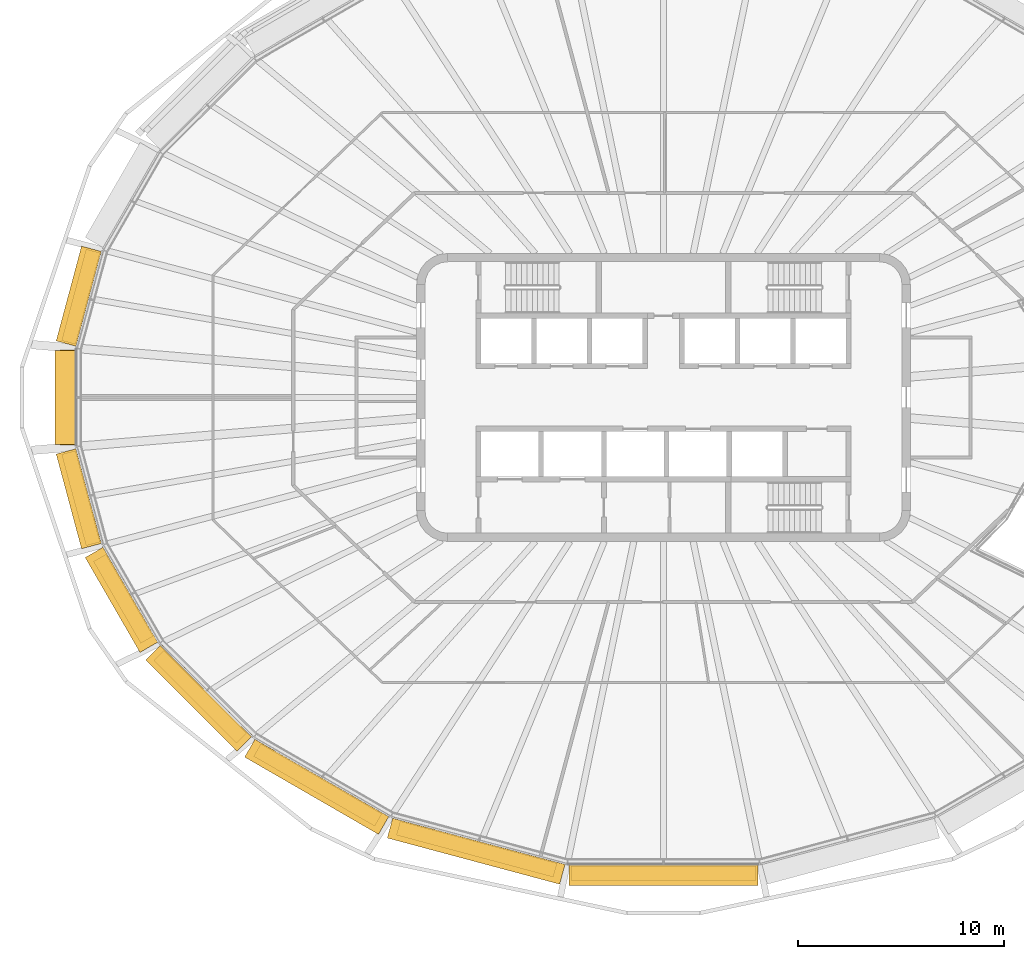
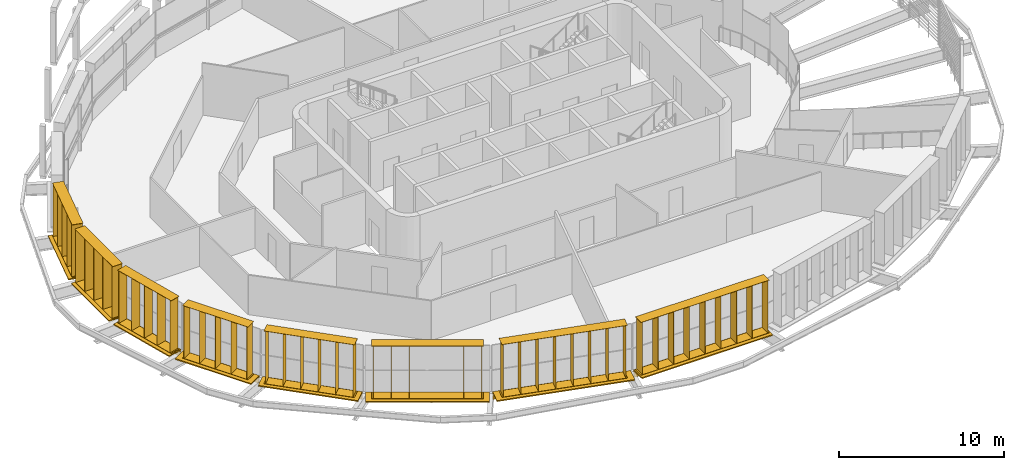
# One storey, part 14 of 19: 16 shading devices.
"""IFC4 building model written with IfcOpenShell, lengths in metres."""

from ifc_helpers import new_model, si_unit, direction, frame, origin, origin_2d, place, context, subcontext, project, spatial, rectangle, extrude, material, type_object, element, save


model = new_model("IFC4")

# Units and contexts
model_context = context("Model", 3, precision=1e-05, world=origin(), true_north=direction((0.0, 1.0)))
body_context = subcontext(model_context, "Body", "Model", "MODEL_VIEW")
ifc_project = project(units=[si_unit("LENGTHUNIT", "METRE"), si_unit("AREAUNIT", "SQUARE_METRE"), si_unit("VOLUMEUNIT", "CUBIC_METRE"), si_unit("PLANEANGLEUNIT", "RADIAN"), si_unit("MASSUNIT", "GRAM", prefix="KILO")], contexts=[model_context])

# Site, building, storey
site_placement = place(None, origin())
site = spatial("IfcSite", under=ifc_project, at=site_placement, CompositionType="ELEMENT")
building_placement = place(site_placement, origin())
building = spatial("IfcBuilding", under=site, at=building_placement, Name="Sahrelin Media Tower", CompositionType="ELEMENT")
storey_placement = place(building_placement, frame((0.0, 0.0, 287.0)))
storey = spatial("IfcBuildingStorey", under=building, at=storey_placement, Name="L63", CompositionType="ELEMENT", Elevation=287.0)

# Shading devices
ifc_material = material(Name="Champagne anodised aluminium 6063-T6", Category="aluminium")
shading_device_type_1 = type_object("IfcShadingDeviceType", Name="Fin cassette", PredefinedType="USERDEFINED", material=ifc_material)
placement_1 = place(storey_placement, frame((-27.9248046875, 4.789306640625, 0.0), z_axis=(0.0, 0.0, 1.0), x_axis=(0.258807731996, 0.965928857556, 0.0)))
element("IfcShadingDevice", 1, at=placement_1, inside=storey, type_object=shading_device_type_1, Name="L63:FIN:L63-11", ObjectType="FIN", PredefinedType="USERDEFINED", context=body_context, shape_type="SweptSolid", body=[
    extrude(rectangle(XDim=4.60009765625, YDim=0.699951171875, at=origin_2d()), frame((0.0, 0.419921875, 0.0)), (0.0, 0.0, 1.0), 0.02001953125),
    extrude(rectangle(XDim=4.60009765625, YDim=0.699951171875, at=origin_2d()), frame((0.0, 0.419921875, 3.89990234375)), (0.0, 0.0, 1.0), 0.02001953125),
    extrude(rectangle(XDim=0.02001953125, YDim=0.699951171875, at=origin_2d()), frame((-2.199951171875, 0.419921875, 0.010009765625), z_axis=(0.0, 0.0, 1.0), x_axis=(1.0, 0.0, 0.0)), (0.0, 0.0, 1.0), 3.89990234375),
    extrude(rectangle(XDim=0.02001953125, YDim=0.699951171875, at=origin_2d()), frame((-1.10009765625, 0.419921875, 0.010009765625), z_axis=(0.0, 0.0, 1.0), x_axis=(1.0, 0.0, 0.0)), (0.0, 0.0, 1.0), 3.89990234375),
    extrude(rectangle(XDim=0.02001953125, YDim=0.699951171875, at=origin_2d()), frame((0.0, 0.419921875, 0.010009765625), z_axis=(0.0, 0.0, 1.0), x_axis=(1.0, 0.0, 0.0)), (0.0, 0.0, 1.0), 3.89990234375),
    extrude(rectangle(XDim=0.02001953125, YDim=0.699951171875, at=origin_2d()), frame((1.10009765625, 0.419921875, 0.010009765625), z_axis=(0.0, 0.0, 1.0), x_axis=(1.0, 0.0, 0.0)), (0.0, 0.0, 1.0), 3.89990234375),
    extrude(rectangle(XDim=0.02001953125, YDim=0.699951171875, at=origin_2d()), frame((2.199951171875, 0.419921875, 0.010009765625), z_axis=(0.0, 0.0, 1.0), x_axis=(1.0, 0.0, 0.0)), (0.0, 0.0, 1.0), 3.89990234375),
])
placement_2 = place(storey_placement, frame((-28.5673828125, 0.0, 0.0), z_axis=(0.0, 0.0, 1.0), x_axis=(0.0, 1.0, 0.0)))
element("IfcShadingDevice", 2, at=placement_2, inside=storey, type_object=shading_device_type_1, Name="L63:FIN:L63-12", ObjectType="FIN", PredefinedType="USERDEFINED", context=body_context, shape_type="SweptSolid", body=[
    extrude(rectangle(XDim=4.60009765625, YDim=0.699951171875, at=origin_2d()), frame((0.0, 0.419921875, 0.0)), (0.0, 0.0, 1.0), 0.02001953125),
    extrude(rectangle(XDim=4.60009765625, YDim=0.699951171875, at=origin_2d()), frame((0.0, 0.419921875, 3.89990234375)), (0.0, 0.0, 1.0), 0.02001953125),
    extrude(rectangle(XDim=0.02001953125, YDim=0.699951171875, at=origin_2d()), frame((-2.199951171875, 0.419921875, 0.010009765625), z_axis=(0.0, 0.0, 1.0), x_axis=(1.0, 0.0, 0.0)), (0.0, 0.0, 1.0), 3.89990234375),
    extrude(rectangle(XDim=0.02001953125, YDim=0.699951171875, at=origin_2d()), frame((-1.10009765625, 0.419921875, 0.010009765625), z_axis=(0.0, 0.0, 1.0), x_axis=(1.0, 0.0, 0.0)), (0.0, 0.0, 1.0), 3.89990234375),
    extrude(rectangle(XDim=0.02001953125, YDim=0.699951171875, at=origin_2d()), frame((0.0, 0.419921875, 0.010009765625), z_axis=(0.0, 0.0, 1.0), x_axis=(1.0, 0.0, 0.0)), (0.0, 0.0, 1.0), 3.89990234375),
    extrude(rectangle(XDim=0.02001953125, YDim=0.699951171875, at=origin_2d()), frame((1.10009765625, 0.419921875, 0.010009765625), z_axis=(0.0, 0.0, 1.0), x_axis=(1.0, 0.0, 0.0)), (0.0, 0.0, 1.0), 3.89990234375),
    extrude(rectangle(XDim=0.02001953125, YDim=0.699951171875, at=origin_2d()), frame((2.199951171875, 0.419921875, 0.010009765625), z_axis=(0.0, 0.0, 1.0), x_axis=(1.0, 0.0, 0.0)), (0.0, 0.0, 1.0), 3.89990234375),
])
placement_3 = place(storey_placement, frame((-27.9248046875, -4.789306640625, 0.0), z_axis=(0.0, 0.0, 1.0), x_axis=(-0.258807731996, 0.965928857556, 0.0)))
element("IfcShadingDevice", 3, at=placement_3, inside=storey, type_object=shading_device_type_1, Name="L63:FIN:L63-13", ObjectType="FIN", PredefinedType="USERDEFINED", context=body_context, shape_type="SweptSolid", body=[
    extrude(rectangle(XDim=4.60009765625, YDim=0.699951171875, at=origin_2d()), frame((0.0, 0.419921875, 0.0)), (0.0, 0.0, 1.0), 0.02001953125),
    extrude(rectangle(XDim=4.60009765625, YDim=0.699951171875, at=origin_2d()), frame((0.0, 0.419921875, 3.89990234375)), (0.0, 0.0, 1.0), 0.02001953125),
    extrude(rectangle(XDim=0.02001953125, YDim=0.699951171875, at=origin_2d()), frame((-2.199951171875, 0.419921875, 0.010009765625), z_axis=(0.0, 0.0, 1.0), x_axis=(1.0, 0.0, 0.0)), (0.0, 0.0, 1.0), 3.89990234375),
    extrude(rectangle(XDim=0.02001953125, YDim=0.699951171875, at=origin_2d()), frame((-1.10009765625, 0.419921875, 0.010009765625), z_axis=(0.0, 0.0, 1.0), x_axis=(1.0, 0.0, 0.0)), (0.0, 0.0, 1.0), 3.89990234375),
    extrude(rectangle(XDim=0.02001953125, YDim=0.699951171875, at=origin_2d()), frame((0.0, 0.419921875, 0.010009765625), z_axis=(0.0, 0.0, 1.0), x_axis=(1.0, 0.0, 0.0)), (0.0, 0.0, 1.0), 3.89990234375),
    extrude(rectangle(XDim=0.02001953125, YDim=0.699951171875, at=origin_2d()), frame((1.10009765625, 0.419921875, 0.010009765625), z_axis=(0.0, 0.0, 1.0), x_axis=(1.0, 0.0, 0.0)), (0.0, 0.0, 1.0), 3.89990234375),
    extrude(rectangle(XDim=0.02001953125, YDim=0.699951171875, at=origin_2d()), frame((2.199951171875, 0.419921875, 0.010009765625), z_axis=(0.0, 0.0, 1.0), x_axis=(1.0, 0.0, 0.0)), (0.0, 0.0, 1.0), 3.89990234375),
])
placement_4 = place(storey_placement, frame((-25.900634765625, -9.580078125, 0.0), z_axis=(0.0, 0.0, 1.0), x_axis=(-0.500011000363, 0.866019052629, 0.0)))
element("IfcShadingDevice", 4, at=placement_4, inside=storey, type_object=shading_device_type_1, Name="L63:FIN:L63-14", ObjectType="FIN", PredefinedType="USERDEFINED", context=body_context, shape_type="SweptSolid", body=[
    extrude(rectangle(XDim=4.60009765625, YDim=0.699951171875, at=origin_2d()), frame((0.0, 0.419921875, 0.0)), (0.0, 0.0, 1.0), 0.02001953125),
    extrude(rectangle(XDim=4.60009765625, YDim=0.699951171875, at=origin_2d()), frame((0.0, 0.419921875, 3.89990234375)), (0.0, 0.0, 1.0), 0.02001953125),
    extrude(rectangle(XDim=0.02001953125, YDim=0.699951171875, at=origin_2d()), frame((-2.199951171875, 0.419921875, 0.010009765625), z_axis=(0.0, 0.0, 1.0), x_axis=(1.0, 0.0, 0.0)), (0.0, 0.0, 1.0), 3.89990234375),
    extrude(rectangle(XDim=0.02001953125, YDim=0.699951171875, at=origin_2d()), frame((-1.10009765625, 0.419921875, 0.010009765625), z_axis=(0.0, 0.0, 1.0), x_axis=(1.0, 0.0, 0.0)), (0.0, 0.0, 1.0), 3.89990234375),
    extrude(rectangle(XDim=0.02001953125, YDim=0.699951171875, at=origin_2d()), frame((0.0, 0.419921875, 0.010009765625), z_axis=(0.0, 0.0, 1.0), x_axis=(1.0, 0.0, 0.0)), (0.0, 0.0, 1.0), 3.89990234375),
    extrude(rectangle(XDim=0.02001953125, YDim=0.699951171875, at=origin_2d()), frame((1.10009765625, 0.419921875, 0.010009765625), z_axis=(0.0, 0.0, 1.0), x_axis=(1.0, 0.0, 0.0)), (0.0, 0.0, 1.0), 3.89990234375),
    extrude(rectangle(XDim=0.02001953125, YDim=0.699951171875, at=origin_2d()), frame((2.199951171875, 0.419921875, 0.010009765625), z_axis=(0.0, 0.0, 1.0), x_axis=(1.0, 0.0, 0.0)), (0.0, 0.0, 1.0), 3.89990234375),
])
placement_5 = place(storey_placement, frame((-22.2294921875, -14.2626953125, 0.0), z_axis=(0.0, 0.0, 1.0), x_axis=(-0.707106781187, 0.707106781187, 0.0)))
element("IfcShadingDevice", 5, at=placement_5, inside=storey, type_object=shading_device_type_1, Name="L63:FIN:L63-15", ObjectType="FIN", PredefinedType="USERDEFINED", context=body_context, shape_type="SweptSolid", body=[
    extrude(rectangle(XDim=5.699951171875, YDim=0.699951171875, at=origin_2d()), frame((0.0, 0.419921875, 0.0)), (0.0, 0.0, 1.0), 0.02001953125),
    extrude(rectangle(XDim=5.699951171875, YDim=0.699951171875, at=origin_2d()), frame((0.0, 0.419921875, 3.89990234375)), (0.0, 0.0, 1.0), 0.02001953125),
    extrude(rectangle(XDim=0.02001953125, YDim=0.699951171875, at=origin_2d()), frame((-2.75, 0.419921875, 0.010009765625), z_axis=(0.0, 0.0, 1.0), x_axis=(1.0, 0.0, 0.0)), (0.0, 0.0, 1.0), 3.89990234375),
    extrude(rectangle(XDim=0.02001953125, YDim=0.699951171875, at=origin_2d()), frame((-1.64990234375, 0.419921875, 0.010009765625), z_axis=(0.0, 0.0, 1.0), x_axis=(1.0, 0.0, 0.0)), (0.0, 0.0, 1.0), 3.89990234375),
    extrude(rectangle(XDim=0.02001953125, YDim=0.699951171875, at=origin_2d()), frame((-0.550048828125, 0.419921875, 0.010009765625), z_axis=(0.0, 0.0, 1.0), x_axis=(1.0, 0.0, 0.0)), (0.0, 0.0, 1.0), 3.89990234375),
    extrude(rectangle(XDim=0.02001953125, YDim=0.699951171875, at=origin_2d()), frame((0.550048828125, 0.419921875, 0.010009765625), z_axis=(0.0, 0.0, 1.0), x_axis=(1.0, 0.0, 0.0)), (0.0, 0.0, 1.0), 3.89990234375),
    extrude(rectangle(XDim=0.02001953125, YDim=0.699951171875, at=origin_2d()), frame((1.64990234375, 0.419921875, 0.010009765625), z_axis=(0.0, 0.0, 1.0), x_axis=(1.0, 0.0, 0.0)), (0.0, 0.0, 1.0), 3.89990234375),
    extrude(rectangle(XDim=0.02001953125, YDim=0.699951171875, at=origin_2d()), frame((2.75, 0.419921875, 0.010009765625), z_axis=(0.0, 0.0, 1.0), x_axis=(1.0, 0.0, 0.0)), (0.0, 0.0, 1.0), 3.89990234375),
])
placement_6 = place(storey_placement, frame((-16.599853515625, -18.48095703125, 0.0), z_axis=(0.0, 0.0, 1.0), x_axis=(-0.866019052629, 0.500011000363, 0.0)))
element("IfcShadingDevice", 6, at=placement_6, inside=storey, type_object=shading_device_type_1, Name="L63:FIN:L63-16", ObjectType="FIN", PredefinedType="USERDEFINED", context=body_context, shape_type="SweptSolid", body=[
    extrude(rectangle(XDim=6.800048828125, YDim=0.699951171875, at=origin_2d()), frame((0.0, 0.419921875, 0.0)), (0.0, 0.0, 1.0), 0.02001953125),
    extrude(rectangle(XDim=6.800048828125, YDim=0.699951171875, at=origin_2d()), frame((0.0, 0.419921875, 3.89990234375)), (0.0, 0.0, 1.0), 0.02001953125),
    extrude(rectangle(XDim=0.02001953125, YDim=0.699951171875, at=origin_2d()), frame((-3.300048828125, 0.419921875, 0.010009765625), z_axis=(0.0, 0.0, 1.0), x_axis=(1.0, 0.0, 0.0)), (0.0, 0.0, 1.0), 3.89990234375),
    extrude(rectangle(XDim=0.02001953125, YDim=0.699951171875, at=origin_2d()), frame((-2.199951171875, 0.419921875, 0.010009765625), z_axis=(0.0, 0.0, 1.0), x_axis=(1.0, 0.0, 0.0)), (0.0, 0.0, 1.0), 3.89990234375),
    extrude(rectangle(XDim=0.02001953125, YDim=0.699951171875, at=origin_2d()), frame((-1.10009765625, 0.419921875, 0.010009765625), z_axis=(0.0, 0.0, 1.0), x_axis=(1.0, 0.0, 0.0)), (0.0, 0.0, 1.0), 3.89990234375),
    extrude(rectangle(XDim=0.02001953125, YDim=0.699951171875, at=origin_2d()), frame((0.0, 0.419921875, 0.010009765625), z_axis=(0.0, 0.0, 1.0), x_axis=(1.0, 0.0, 0.0)), (0.0, 0.0, 1.0), 3.89990234375),
    extrude(rectangle(XDim=0.02001953125, YDim=0.699951171875, at=origin_2d()), frame((1.10009765625, 0.419921875, 0.010009765625), z_axis=(0.0, 0.0, 1.0), x_axis=(1.0, 0.0, 0.0)), (0.0, 0.0, 1.0), 3.89990234375),
    extrude(rectangle(XDim=0.02001953125, YDim=0.699951171875, at=origin_2d()), frame((2.199951171875, 0.419921875, 0.010009765625), z_axis=(0.0, 0.0, 1.0), x_axis=(1.0, 0.0, 0.0)), (0.0, 0.0, 1.0), 3.89990234375),
    extrude(rectangle(XDim=0.02001953125, YDim=0.699951171875, at=origin_2d()), frame((3.300048828125, 0.419921875, 0.010009765625), z_axis=(0.0, 0.0, 1.0), x_axis=(1.0, 0.0, 0.0)), (0.0, 0.0, 1.0), 3.89990234375),
])
placement_7 = place(storey_placement, frame((-8.972412109375, -21.55810546875, 0.0), z_axis=(0.0, 0.0, 1.0), x_axis=(-0.965928857556, 0.258807731996, 0.0)))
element("IfcShadingDevice", 7, at=placement_7, inside=storey, type_object=shading_device_type_1, Name="L63:FIN:L63-17", ObjectType="FIN", PredefinedType="USERDEFINED", context=body_context, shape_type="SweptSolid", body=[
    extrude(rectangle(XDim=7.89990234375, YDim=0.699951171875, at=origin_2d()), frame((0.0, 0.419921875, 0.0)), (0.0, 0.0, 1.0), 0.02001953125),
    extrude(rectangle(XDim=7.89990234375, YDim=0.699951171875, at=origin_2d()), frame((0.0, 0.419921875, 3.89990234375)), (0.0, 0.0, 1.0), 0.02001953125),
    extrude(rectangle(XDim=0.02001953125, YDim=0.699951171875, at=origin_2d()), frame((-3.85009765625, 0.419921875, 0.010009765625), z_axis=(0.0, 0.0, 1.0), x_axis=(1.0, 0.0, 0.0)), (0.0, 0.0, 1.0), 3.89990234375),
    extrude(rectangle(XDim=0.02001953125, YDim=0.699951171875, at=origin_2d()), frame((-2.75, 0.419921875, 0.010009765625), z_axis=(0.0, 0.0, 1.0), x_axis=(1.0, 0.0, 0.0)), (0.0, 0.0, 1.0), 3.89990234375),
    extrude(rectangle(XDim=0.02001953125, YDim=0.699951171875, at=origin_2d()), frame((-1.64990234375, 0.419921875, 0.010009765625), z_axis=(0.0, 0.0, 1.0), x_axis=(1.0, 0.0, 0.0)), (0.0, 0.0, 1.0), 3.89990234375),
    extrude(rectangle(XDim=0.02001953125, YDim=0.699951171875, at=origin_2d()), frame((-0.550048828125, 0.419921875, 0.010009765625), z_axis=(0.0, 0.0, 1.0), x_axis=(1.0, 0.0, 0.0)), (0.0, 0.0, 1.0), 3.89990234375),
    extrude(rectangle(XDim=0.02001953125, YDim=0.699951171875, at=origin_2d()), frame((0.550048828125, 0.419921875, 0.010009765625), z_axis=(0.0, 0.0, 1.0), x_axis=(1.0, 0.0, 0.0)), (0.0, 0.0, 1.0), 3.89990234375),
    extrude(rectangle(XDim=0.02001953125, YDim=0.699951171875, at=origin_2d()), frame((1.64990234375, 0.419921875, 0.010009765625), z_axis=(0.0, 0.0, 1.0), x_axis=(1.0, 0.0, 0.0)), (0.0, 0.0, 1.0), 3.89990234375),
    extrude(rectangle(XDim=0.02001953125, YDim=0.699951171875, at=origin_2d()), frame((2.75, 0.419921875, 0.010009765625), z_axis=(0.0, 0.0, 1.0), x_axis=(1.0, 0.0, 0.0)), (0.0, 0.0, 1.0), 3.89990234375),
    extrude(rectangle(XDim=0.02001953125, YDim=0.699951171875, at=origin_2d()), frame((3.85009765625, 0.419921875, 0.010009765625), z_axis=(0.0, 0.0, 1.0), x_axis=(1.0, 0.0, 0.0)), (0.0, 0.0, 1.0), 3.89990234375),
])
placement_8 = place(storey_placement, frame((0.0, -22.706787109375, 0.0), z_axis=(0.0, 0.0, 1.0), x_axis=(-1.0, 0.0, 0.0)))
element("IfcShadingDevice", 8, at=placement_8, inside=storey, type_object=shading_device_type_1, Name="L63:FIN:L63-18", ObjectType="FIN", PredefinedType="USERDEFINED", context=body_context, shape_type="SweptSolid", body=[
    extrude(rectangle(XDim=9.0, YDim=0.699951171875, at=origin_2d()), frame((0.0, 0.419921875, 0.0)), (0.0, 0.0, 1.0), 0.02001953125),
    extrude(rectangle(XDim=9.0, YDim=0.699951171875, at=origin_2d()), frame((0.0, 0.419921875, 3.89990234375)), (0.0, 0.0, 1.0), 0.02001953125),
    extrude(rectangle(XDim=0.02001953125, YDim=0.699951171875, at=origin_2d()), frame((-4.39990234375, 0.419921875, 0.010009765625), z_axis=(0.0, 0.0, 1.0), x_axis=(1.0, 0.0, 0.0)), (0.0, 0.0, 1.0), 3.89990234375),
    extrude(rectangle(XDim=0.02001953125, YDim=0.699951171875, at=origin_2d()), frame((-3.300048828125, 0.419921875, 0.010009765625), z_axis=(0.0, 0.0, 1.0), x_axis=(1.0, 0.0, 0.0)), (0.0, 0.0, 1.0), 3.89990234375),
    extrude(rectangle(XDim=0.02001953125, YDim=0.699951171875, at=origin_2d()), frame((-2.199951171875, 0.419921875, 0.010009765625), z_axis=(0.0, 0.0, 1.0), x_axis=(1.0, 0.0, 0.0)), (0.0, 0.0, 1.0), 3.89990234375),
    extrude(rectangle(XDim=0.02001953125, YDim=0.699951171875, at=origin_2d()), frame((-1.10009765625, 0.419921875, 0.010009765625), z_axis=(0.0, 0.0, 1.0), x_axis=(1.0, 0.0, 0.0)), (0.0, 0.0, 1.0), 3.89990234375),
    extrude(rectangle(XDim=0.02001953125, YDim=0.699951171875, at=origin_2d()), frame((0.0, 0.419921875, 0.010009765625), z_axis=(0.0, 0.0, 1.0), x_axis=(1.0, 0.0, 0.0)), (0.0, 0.0, 1.0), 3.89990234375),
    extrude(rectangle(XDim=0.02001953125, YDim=0.699951171875, at=origin_2d()), frame((1.10009765625, 0.419921875, 0.010009765625), z_axis=(0.0, 0.0, 1.0), x_axis=(1.0, 0.0, 0.0)), (0.0, 0.0, 1.0), 3.89990234375),
    extrude(rectangle(XDim=0.02001953125, YDim=0.699951171875, at=origin_2d()), frame((2.199951171875, 0.419921875, 0.010009765625), z_axis=(0.0, 0.0, 1.0), x_axis=(1.0, 0.0, 0.0)), (0.0, 0.0, 1.0), 3.89990234375),
    extrude(rectangle(XDim=0.02001953125, YDim=0.699951171875, at=origin_2d()), frame((3.300048828125, 0.419921875, 0.010009765625), z_axis=(0.0, 0.0, 1.0), x_axis=(1.0, 0.0, 0.0)), (0.0, 0.0, 1.0), 3.89990234375),
    extrude(rectangle(XDim=0.02001953125, YDim=0.699951171875, at=origin_2d()), frame((4.39990234375, 0.419921875, 0.010009765625), z_axis=(0.0, 0.0, 1.0), x_axis=(1.0, 0.0, 0.0)), (0.0, 0.0, 1.0), 3.89990234375),
])
shading_device_type_2 = type_object("IfcShadingDeviceType", Name="Sunshade band", PredefinedType="USERDEFINED", material=ifc_material)
element("IfcShadingDevice", 9, at=placement_1, inside=storey, type_object=shading_device_type_2, Name="L63:SUN:L63-11", ObjectType="SUNSHADE", PredefinedType="USERDEFINED", context=body_context, shape_type="SweptSolid", body=[
    extrude(rectangle(XDim=4.76513671875, YDim=0.050048828125, at=origin_2d()), frame((0.0, 0.044921875, -0.55126953125)), (0.0, 0.0, 1.0), 0.471435546875),
    extrude(rectangle(XDim=4.76513671875, YDim=1.0, at=origin_2d()), frame((0.0, 0.52001953125, -0.080078125)), (0.0, 0.0, 1.0), 0.080078125),
    extrude(rectangle(XDim=0.10009765625, YDim=0.074951171875, at=origin_2d()), frame((-2.28271484375, -0.017578125, -0.47021484375)), (0.0, 0.0, 1.0), 0.300048828125),
    extrude(rectangle(XDim=0.10009765625, YDim=0.074951171875, at=origin_2d()), frame((-0.760986328125, -0.017578125, -0.47021484375)), (0.0, 0.0, 1.0), 0.300048828125),
    extrude(rectangle(XDim=0.10009765625, YDim=0.074951171875, at=origin_2d()), frame((0.760986328125, -0.017578125, -0.47021484375)), (0.0, 0.0, 1.0), 0.300048828125),
    extrude(rectangle(XDim=0.10009765625, YDim=0.074951171875, at=origin_2d()), frame((2.28271484375, -0.017578125, -0.47021484375)), (0.0, 0.0, 1.0), 0.300048828125),
])
element("IfcShadingDevice", 10, at=placement_2, inside=storey, type_object=shading_device_type_2, Name="L63:SUN:L63-12", ObjectType="SUNSHADE", PredefinedType="USERDEFINED", context=body_context, shape_type="SweptSolid", body=[
    extrude(rectangle(XDim=4.58251953125, YDim=0.050048828125, at=origin_2d()), frame((0.0, 0.044921875, -0.55126953125)), (0.0, 0.0, 1.0), 0.471435546875),
    extrude(rectangle(XDim=4.58251953125, YDim=1.0, at=origin_2d()), frame((0.0, 0.52001953125, -0.080078125)), (0.0, 0.0, 1.0), 0.080078125),
    extrude(rectangle(XDim=0.10009765625, YDim=0.074951171875, at=origin_2d()), frame((-2.191162109375, -0.017578125, -0.47021484375)), (0.0, 0.0, 1.0), 0.300048828125),
    extrude(rectangle(XDim=0.10009765625, YDim=0.074951171875, at=origin_2d()), frame((-0.73046875, -0.017578125, -0.47021484375)), (0.0, 0.0, 1.0), 0.300048828125),
    extrude(rectangle(XDim=0.10009765625, YDim=0.074951171875, at=origin_2d()), frame((0.73046875, -0.017578125, -0.47021484375)), (0.0, 0.0, 1.0), 0.300048828125),
    extrude(rectangle(XDim=0.10009765625, YDim=0.074951171875, at=origin_2d()), frame((2.191162109375, -0.017578125, -0.47021484375)), (0.0, 0.0, 1.0), 0.300048828125),
])
element("IfcShadingDevice", 11, at=placement_3, inside=storey, type_object=shading_device_type_2, Name="L63:SUN:L63-13", ObjectType="SUNSHADE", PredefinedType="USERDEFINED", context=body_context, shape_type="SweptSolid", body=[
    extrude(rectangle(XDim=4.76513671875, YDim=0.050048828125, at=origin_2d()), frame((0.0, 0.044921875, -0.55126953125)), (0.0, 0.0, 1.0), 0.471435546875),
    extrude(rectangle(XDim=4.76513671875, YDim=1.0, at=origin_2d()), frame((0.0, 0.52001953125, -0.080078125)), (0.0, 0.0, 1.0), 0.080078125),
    extrude(rectangle(XDim=0.10009765625, YDim=0.074951171875, at=origin_2d()), frame((-2.28271484375, -0.017578125, -0.47021484375)), (0.0, 0.0, 1.0), 0.300048828125),
    extrude(rectangle(XDim=0.10009765625, YDim=0.074951171875, at=origin_2d()), frame((-0.760986328125, -0.017578125, -0.47021484375)), (0.0, 0.0, 1.0), 0.300048828125),
    extrude(rectangle(XDim=0.10009765625, YDim=0.074951171875, at=origin_2d()), frame((0.760986328125, -0.017578125, -0.47021484375)), (0.0, 0.0, 1.0), 0.300048828125),
    extrude(rectangle(XDim=0.10009765625, YDim=0.074951171875, at=origin_2d()), frame((2.28271484375, -0.017578125, -0.47021484375)), (0.0, 0.0, 1.0), 0.300048828125),
])
element("IfcShadingDevice", 12, at=placement_4, inside=storey, type_object=shading_device_type_2, Name="L63:SUN:L63-14", ObjectType="SUNSHADE", PredefinedType="USERDEFINED", context=body_context, shape_type="SweptSolid", body=[
    extrude(rectangle(XDim=5.326416015625, YDim=0.050048828125, at=origin_2d()), frame((0.0, 0.044921875, -0.55126953125)), (0.0, 0.0, 1.0), 0.471435546875),
    extrude(rectangle(XDim=5.326416015625, YDim=1.0, at=origin_2d()), frame((0.0, 0.52001953125, -0.080078125)), (0.0, 0.0, 1.0), 0.080078125),
    extrude(rectangle(XDim=0.10009765625, YDim=0.074951171875, at=origin_2d()), frame((-2.563232421875, -0.017578125, -0.47021484375)), (0.0, 0.0, 1.0), 0.300048828125),
    extrude(rectangle(XDim=0.10009765625, YDim=0.074951171875, at=origin_2d()), frame((-0.8544921875, -0.017578125, -0.47021484375)), (0.0, 0.0, 1.0), 0.300048828125),
    extrude(rectangle(XDim=0.10009765625, YDim=0.074951171875, at=origin_2d()), frame((0.8544921875, -0.017578125, -0.47021484375)), (0.0, 0.0, 1.0), 0.300048828125),
    extrude(rectangle(XDim=0.10009765625, YDim=0.074951171875, at=origin_2d()), frame((2.563232421875, -0.017578125, -0.47021484375)), (0.0, 0.0, 1.0), 0.300048828125),
])
element("IfcShadingDevice", 13, at=placement_5, inside=storey, type_object=shading_device_type_2, Name="L63:SUN:L63-15", ObjectType="SUNSHADE", PredefinedType="USERDEFINED", context=body_context, shape_type="SweptSolid", body=[
    extrude(rectangle(XDim=6.27587890625, YDim=0.050048828125, at=origin_2d()), frame((0.0, 0.044921875, -0.55126953125)), (0.0, 0.0, 1.0), 0.471435546875),
    extrude(rectangle(XDim=6.27587890625, YDim=1.0, at=origin_2d()), frame((0.0, 0.52001953125, -0.080078125)), (0.0, 0.0, 1.0), 0.080078125),
    extrude(rectangle(XDim=0.10009765625, YDim=0.074951171875, at=origin_2d()), frame((-3.037841796875, -0.017578125, -0.47021484375)), (0.0, 0.0, 1.0), 0.300048828125),
    extrude(rectangle(XDim=0.10009765625, YDim=0.074951171875, at=origin_2d()), frame((-1.518798828125, -0.017578125, -0.47021484375)), (0.0, 0.0, 1.0), 0.300048828125),
    extrude(rectangle(XDim=0.10009765625, YDim=0.074951171875, at=origin_2d()), frame((0.0, -0.017578125, -0.47021484375)), (0.0, 0.0, 1.0), 0.300048828125),
    extrude(rectangle(XDim=0.10009765625, YDim=0.074951171875, at=origin_2d()), frame((1.518798828125, -0.017578125, -0.47021484375)), (0.0, 0.0, 1.0), 0.300048828125),
    extrude(rectangle(XDim=0.10009765625, YDim=0.074951171875, at=origin_2d()), frame((3.037841796875, -0.017578125, -0.47021484375)), (0.0, 0.0, 1.0), 0.300048828125),
])
element("IfcShadingDevice", 14, at=placement_6, inside=storey, type_object=shading_device_type_2, Name="L63:SUN:L63-16", ObjectType="SUNSHADE", PredefinedType="USERDEFINED", context=body_context, shape_type="SweptSolid", body=[
    extrude(rectangle(XDim=7.51416015625, YDim=0.050048828125, at=origin_2d()), frame((0.0, 0.044921875, -0.55126953125)), (0.0, 0.0, 1.0), 0.471435546875),
    extrude(rectangle(XDim=7.51416015625, YDim=1.0, at=origin_2d()), frame((0.0, 0.52001953125, -0.080078125)), (0.0, 0.0, 1.0), 0.080078125),
    extrude(rectangle(XDim=0.10009765625, YDim=0.074951171875, at=origin_2d()), frame((-3.656982421875, -0.017578125, -0.47021484375)), (0.0, 0.0, 1.0), 0.300048828125),
    extrude(rectangle(XDim=0.10009765625, YDim=0.074951171875, at=origin_2d()), frame((-1.82861328125, -0.017578125, -0.47021484375)), (0.0, 0.0, 1.0), 0.300048828125),
    extrude(rectangle(XDim=0.10009765625, YDim=0.074951171875, at=origin_2d()), frame((0.0, -0.017578125, -0.47021484375)), (0.0, 0.0, 1.0), 0.300048828125),
    extrude(rectangle(XDim=0.10009765625, YDim=0.074951171875, at=origin_2d()), frame((1.82861328125, -0.017578125, -0.47021484375)), (0.0, 0.0, 1.0), 0.300048828125),
    extrude(rectangle(XDim=0.10009765625, YDim=0.074951171875, at=origin_2d()), frame((3.656982421875, -0.017578125, -0.47021484375)), (0.0, 0.0, 1.0), 0.300048828125),
])
element("IfcShadingDevice", 15, at=placement_7, inside=storey, type_object=shading_device_type_2, Name="L63:SUN:L63-17", ObjectType="SUNSHADE", PredefinedType="USERDEFINED", context=body_context, shape_type="SweptSolid", body=[
    extrude(rectangle(XDim=8.67626953125, YDim=0.050048828125, at=origin_2d()), frame((0.0, 0.044921875, -0.55126953125)), (0.0, 0.0, 1.0), 0.471435546875),
    extrude(rectangle(XDim=8.67626953125, YDim=1.0, at=origin_2d()), frame((0.0, 0.52001953125, -0.080078125)), (0.0, 0.0, 1.0), 0.080078125),
    extrude(rectangle(XDim=0.10009765625, YDim=0.074951171875, at=origin_2d()), frame((-4.238037109375, -0.017578125, -0.47021484375)), (0.0, 0.0, 1.0), 0.300048828125),
    extrude(rectangle(XDim=0.10009765625, YDim=0.074951171875, at=origin_2d()), frame((-2.54296875, -0.017578125, -0.47021484375)), (0.0, 0.0, 1.0), 0.300048828125),
    extrude(rectangle(XDim=0.10009765625, YDim=0.074951171875, at=origin_2d()), frame((-0.84765625, -0.017578125, -0.47021484375)), (0.0, 0.0, 1.0), 0.300048828125),
    extrude(rectangle(XDim=0.10009765625, YDim=0.074951171875, at=origin_2d()), frame((0.84765625, -0.017578125, -0.47021484375)), (0.0, 0.0, 1.0), 0.300048828125),
    extrude(rectangle(XDim=0.10009765625, YDim=0.074951171875, at=origin_2d()), frame((2.54296875, -0.017578125, -0.47021484375)), (0.0, 0.0, 1.0), 0.300048828125),
    extrude(rectangle(XDim=0.10009765625, YDim=0.074951171875, at=origin_2d()), frame((4.238037109375, -0.017578125, -0.47021484375)), (0.0, 0.0, 1.0), 0.300048828125),
])
element("IfcShadingDevice", 16, at=placement_8, inside=storey, type_object=shading_device_type_2, Name="L63:SUN:L63-18", ObjectType="SUNSHADE", PredefinedType="USERDEFINED", context=body_context, shape_type="SweptSolid", body=[
    extrude(rectangle(XDim=9.171142578125, YDim=0.050048828125, at=origin_2d()), frame((0.0, 0.044921875, -0.55126953125)), (0.0, 0.0, 1.0), 0.471435546875),
    extrude(rectangle(XDim=9.171142578125, YDim=1.0, at=origin_2d()), frame((0.0, 0.52001953125, -0.080078125)), (0.0, 0.0, 1.0), 0.080078125),
    extrude(rectangle(XDim=0.10009765625, YDim=0.074951171875, at=origin_2d()), frame((-4.485595703125, -0.017578125, -0.47021484375)), (0.0, 0.0, 1.0), 0.300048828125),
    extrude(rectangle(XDim=0.10009765625, YDim=0.074951171875, at=origin_2d()), frame((-2.69140625, -0.017578125, -0.47021484375)), (0.0, 0.0, 1.0), 0.300048828125),
    extrude(rectangle(XDim=0.10009765625, YDim=0.074951171875, at=origin_2d()), frame((-0.897216796875, -0.017578125, -0.47021484375)), (0.0, 0.0, 1.0), 0.300048828125),
    extrude(rectangle(XDim=0.10009765625, YDim=0.074951171875, at=origin_2d()), frame((0.897216796875, -0.017578125, -0.47021484375)), (0.0, 0.0, 1.0), 0.300048828125),
    extrude(rectangle(XDim=0.10009765625, YDim=0.074951171875, at=origin_2d()), frame((2.69140625, -0.017578125, -0.47021484375)), (0.0, 0.0, 1.0), 0.300048828125),
    extrude(rectangle(XDim=0.10009765625, YDim=0.074951171875, at=origin_2d()), frame((4.485595703125, -0.017578125, -0.47021484375)), (0.0, 0.0, 1.0), 0.300048828125),
])

save(model, "model.ifc")
